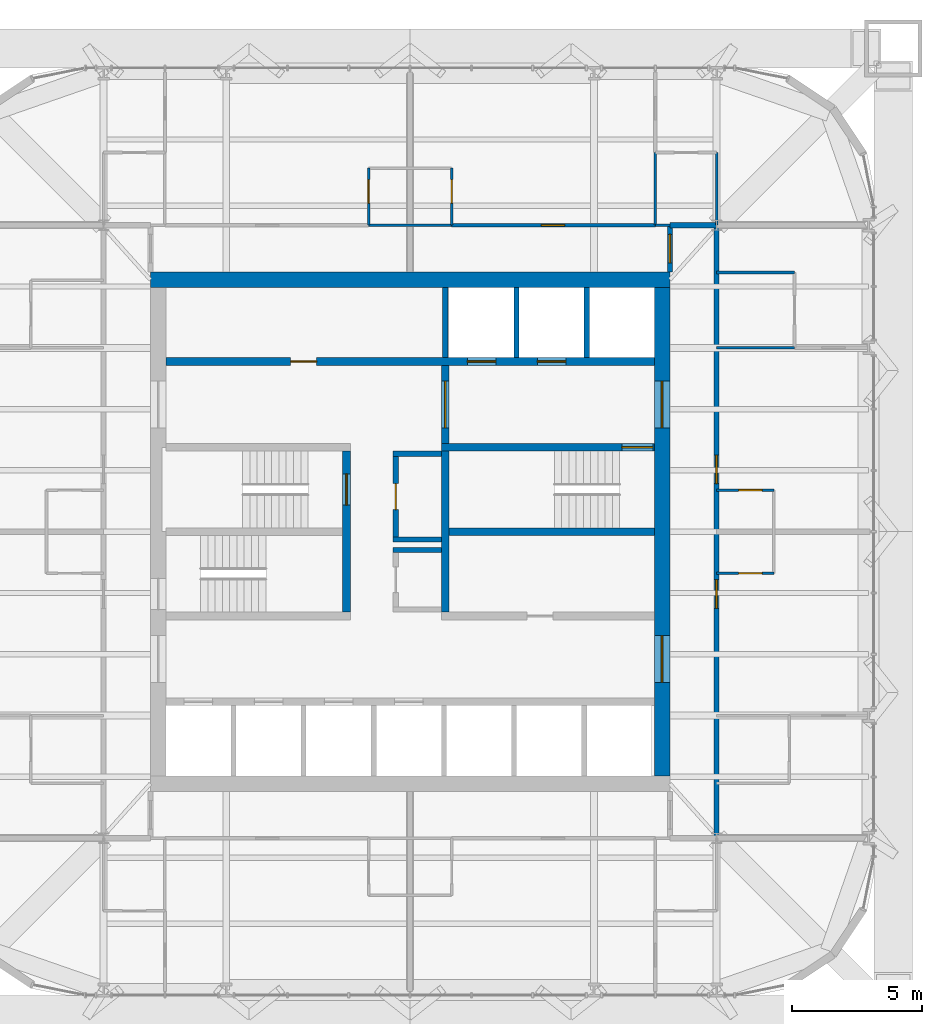
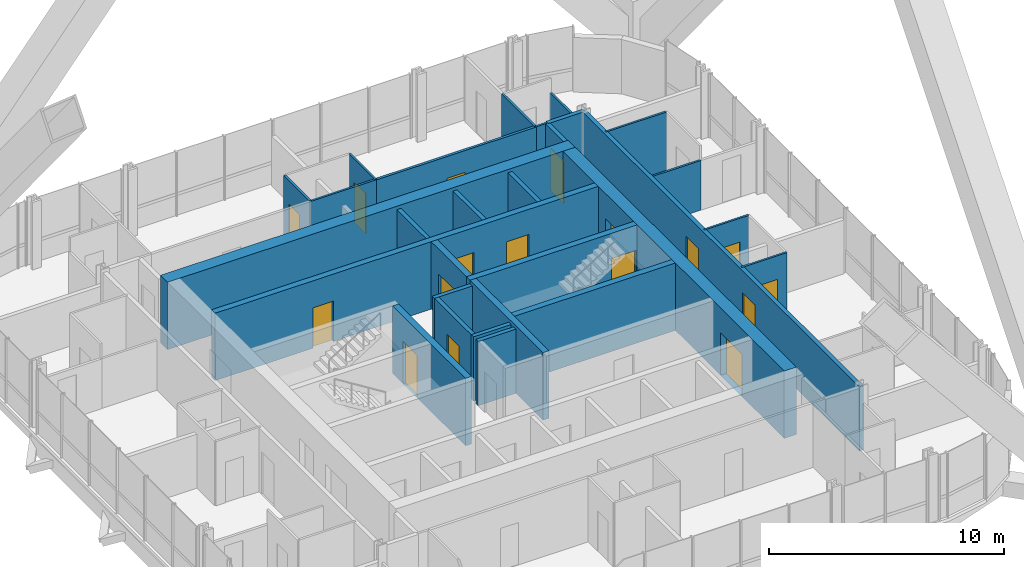
# One storey, part 21 of 23: 28 walls, 17 doors, 17 openings.
"""IFC4 building model written with IfcOpenShell, lengths in metres."""

from ifc_helpers import new_model, si_unit, direction, frame, frame_2d, origin, place, context, subcontext, project, spatial, rectangle, extrude, material, layer, layer_set, type_object, element, fill, save


model = new_model("IFC4")

# Units and contexts
model_context = context("Model", 3, precision=1e-05, world=origin(), true_north=direction((0.0, 1.0)))
body_context = subcontext(model_context, "Body", "Model", "MODEL_VIEW")
ifc_project = project(units=[si_unit("LENGTHUNIT", "METRE"), si_unit("AREAUNIT", "SQUARE_METRE"), si_unit("VOLUMEUNIT", "CUBIC_METRE"), si_unit("PLANEANGLEUNIT", "RADIAN"), si_unit("MASSUNIT", "GRAM", prefix="KILO")], contexts=[model_context])

# Site, building, storey
site_placement = place(None, origin())
site = spatial("IfcSite", under=ifc_project, at=site_placement, CompositionType="ELEMENT")
building_placement = place(site_placement, origin())
building = spatial("IfcBuilding", under=site, at=building_placement, Name="Turquesa Mirador Hotel Tower", CompositionType="ELEMENT")
storey_placement = place(building_placement, frame((0.0, 0.0, 226.699951171875)))
storey = spatial("IfcBuildingStorey", under=building, at=storey_placement, Name="L61", CompositionType="ELEMENT", Elevation=226.699951171875)

# Wall, opening, door
ifc_material_1 = material(Name="Gypsum board on steel studs", Category="steel")
ifc_layer_1 = layer(ifc_material_1, 0.10009765625)
ifc_layer_set_1 = layer_set([ifc_layer_1], Name="BATHROOM WALL 100")
wall_type_1 = type_object("IfcWallType", Name="BATHROOM WALL 100", PredefinedType="PARTITIONING", material=ifc_layer_set_1)
wall_1_placement = place(storey_placement, frame((66.800048828125, 43.39990234375, 0.0), z_axis=(0.0, 0.0, 1.0), x_axis=(1.0, 0.0, 0.0)))
wall_1 = element("IfcWall", 1, at=wall_1_placement, inside=storey, type_object=wall_type_1, Name="Partition L61 002", PredefinedType="PARTITIONING", context=body_context, shape_type="SweptSolid", body=[
    extrude(rectangle(XDim=2.199951171875, YDim=0.10009765625, at=frame_2d((1.10009765625, 0.0))), origin(), (0.0, 0.0, 1.0), 3.330078125),
])
opening_1_placement = place(wall_1_placement, frame((0.85009765625, 0.0, 0.0)))
opening_1 = element("IfcOpeningElement", 2, at=opening_1_placement, cuts=wall_1, Name="Opening D06", PredefinedType="OPENING", context=body_context, shape_type="SweptSolid", body=[
    extrude(rectangle(XDim=0.89990234375, YDim=2.10009765625, at=frame_2d((0.449951171875, 1.050048828125))), frame((0.0, 0.06005859375, 0.0), z_axis=(0.0, -1.0, 0.0), x_axis=(1.0, 0.0, 0.0)), (0.0, 0.0, 1.0), 0.1201171875),
])
ifc_material_2 = material(Name="Laminate door", Category="wood")
door_type_1 = type_object("IfcDoorType", Name="DOOR 900X2100 WC", OperationType="SINGLE_SWING_LEFT", PredefinedType="DOOR", material=ifc_material_2)
door_1_placement = place(opening_1_placement, origin())
door_1 = element("IfcDoor", 3, at=door_1_placement, inside=storey, type_object=door_type_1, Name="Door 6105W", OperationType="SINGLE_SWING_LEFT", OverallHeight=2.10009765625, OverallWidth=0.89990234375, PredefinedType="DOOR", context=body_context, shape_type="SweptSolid", body=[
    extrude(rectangle(XDim=0.89990234375, YDim=2.10009765625, at=frame_2d((0.449951171875, 1.050048828125))), frame((0.0, 0.02490234375, 0.0), z_axis=(0.0, -1.0, 0.0), x_axis=(1.0, 0.0, 0.0)), (0.0, 0.0, 1.0), 0.050048828125),
])
fill(opening_1, door_1)

wall_2_placement = place(storey_placement, frame((66.800048828125, 46.60009765625, 0.0), z_axis=(0.0, 0.0, 1.0), x_axis=(1.0, 0.0, 0.0)))
wall_2 = element("IfcWall", 4, at=wall_2_placement, inside=storey, type_object=wall_type_1, Name="Partition L61 024", PredefinedType="PARTITIONING", context=body_context, shape_type="SweptSolid", body=[
    extrude(rectangle(XDim=2.199951171875, YDim=0.10009765625, at=frame_2d((1.10009765625, 0.0))), origin(), (0.0, 0.0, 1.0), 3.330078125),
])
opening_2_placement = place(wall_2_placement, frame((0.85009765625, 0.0, 0.0)))
opening_2 = element("IfcOpeningElement", 5, at=opening_2_placement, cuts=wall_2, Name="Opening D06", PredefinedType="OPENING", context=body_context, shape_type="SweptSolid", body=[
    extrude(rectangle(XDim=0.89990234375, YDim=2.10009765625, at=frame_2d((0.449951171875, 1.050048828125))), frame((0.0, 0.06005859375, 0.0), z_axis=(0.0, -1.0, 0.0), x_axis=(1.0, 0.0, 0.0)), (0.0, 0.0, 1.0), 0.1201171875),
])
door_2_placement = place(opening_2_placement, origin())
door_2 = element("IfcDoor", 6, at=door_2_placement, inside=storey, type_object=door_type_1, Name="Door 6106W", OperationType="SINGLE_SWING_LEFT", OverallHeight=2.10009765625, OverallWidth=0.89990234375, PredefinedType="DOOR", context=body_context, shape_type="SweptSolid", body=[
    extrude(rectangle(XDim=0.89990234375, YDim=2.10009765625, at=frame_2d((0.449951171875, 1.050048828125))), frame((0.0, 0.02490234375, 0.0), z_axis=(0.0, -1.0, 0.0), x_axis=(1.0, 0.0, 0.0)), (0.0, 0.0, 1.0), 0.050048828125),
])
fill(opening_2, door_2)

# Walls
wall_3_placement = place(storey_placement, frame((53.39990234375, 56.800048828125, 0.0), z_axis=(0.0, 0.0, 1.0), x_axis=(1.0, 0.0, 0.0)))
element("IfcWall", 7, at=wall_3_placement, inside=storey, type_object=wall_type_1, Name="Partition L61 026", PredefinedType="PARTITIONING", context=body_context, shape_type="SweptSolid", body=[
    extrude(rectangle(XDim=3.2001953125, YDim=0.10009765625, at=frame_2d((1.60009765625, 0.0))), origin(), (0.0, 0.0, 1.0), 3.330078125),
])
wall_4_placement = place(storey_placement, frame((64.43994140625, 56.800048828125, 0.0), z_axis=(0.0, 0.0, 1.0), x_axis=(1.0, 0.0, 0.0)))
element("IfcWall", 8, at=wall_4_placement, inside=storey, type_object=wall_type_1, Name="Partition L61 027", PredefinedType="PARTITIONING", context=body_context, shape_type="SweptSolid", body=[
    extrude(rectangle(XDim=0.56005859375, YDim=0.10009765625, at=frame_2d((0.280029296875, 0.0))), origin(), (0.0, 0.0, 1.0), 3.330078125),
])
wall_5_placement = place(storey_placement, frame((66.800048828125, 52.080078125, 0.0), z_axis=(0.0, 0.0, 1.0), x_axis=(1.0, 0.0, 0.0)))
element("IfcWall", 9, at=wall_5_placement, inside=storey, type_object=wall_type_1, Name="Partition L61 038", PredefinedType="PARTITIONING", context=body_context, shape_type="SweptSolid", body=[
    extrude(rectangle(XDim=3.0, YDim=0.10009765625, at=frame_2d((1.5, 0.0))), origin(), (0.0, 0.0, 1.0), 2.5732421875),
])
wall_6_placement = place(storey_placement, frame((66.800048828125, 54.97998046875, 0.0), z_axis=(0.0, 0.0, 1.0), x_axis=(1.0, 0.0, 0.0)))
element("IfcWall", 10, at=wall_6_placement, inside=storey, type_object=wall_type_1, Name="Partition L61 042", PredefinedType="PARTITIONING", context=body_context, shape_type="SweptSolid", body=[
    extrude(rectangle(XDim=3.0, YDim=0.10009765625, at=frame_2d((1.5, 0.0))), origin(), (0.0, 0.0, 1.0), 3.330078125),
])

# Wall, opening, door
wall_7_placement = place(storey_placement, frame((53.39990234375, 56.800048828125, 0.0), z_axis=(0.0, 0.0, 1.0), x_axis=(0.0, 1.0, 0.0)))
wall_7 = element("IfcWall", 11, at=wall_7_placement, inside=storey, type_object=wall_type_1, Name="Partition L61 044", PredefinedType="PARTITIONING", context=body_context, shape_type="SweptSolid", body=[
    extrude(rectangle(XDim=2.199951171875, YDim=0.10009765625, at=frame_2d((1.10009765625, 0.0))), origin(), (0.0, 0.0, 1.0), 3.330078125),
])
opening_3_placement = place(wall_7_placement, frame((0.85009765625, 0.0, 0.0)))
opening_3 = element("IfcOpeningElement", 12, at=opening_3_placement, cuts=wall_7, Name="Opening D06", PredefinedType="OPENING", context=body_context, shape_type="SweptSolid", body=[
    extrude(rectangle(XDim=0.89990234375, YDim=2.10009765625, at=frame_2d((0.449951171875, 1.050048828125))), frame((0.0, 0.06005859375, 0.0), z_axis=(0.0, -1.0, 0.0), x_axis=(1.0, 0.0, 0.0)), (0.0, 0.0, 1.0), 0.1201171875),
])
door_3_placement = place(opening_3_placement, origin())
door_3 = element("IfcDoor", 13, at=door_3_placement, inside=storey, type_object=door_type_1, Name="Door 6101W", OperationType="SINGLE_SWING_LEFT", OverallHeight=2.10009765625, OverallWidth=0.89990234375, PredefinedType="DOOR", context=body_context, shape_type="SweptSolid", body=[
    extrude(rectangle(XDim=0.89990234375, YDim=2.10009765625, at=frame_2d((0.449951171875, 1.050048828125))), frame((0.0, 0.02490234375, 0.0), z_axis=(0.0, -1.0, 0.0), x_axis=(1.0, 0.0, 0.0)), (0.0, 0.0, 1.0), 0.050048828125),
])
fill(opening_3, door_3)

wall_8_placement = place(storey_placement, frame((56.60009765625, 56.800048828125, 0.0), z_axis=(0.0, 0.0, 1.0), x_axis=(0.0, 1.0, 0.0)))
wall_8 = element("IfcWall", 14, at=wall_8_placement, inside=storey, type_object=wall_type_1, Name="Partition L61 060", PredefinedType="PARTITIONING", context=body_context, shape_type="SweptSolid", body=[
    extrude(rectangle(XDim=2.199951171875, YDim=0.10009765625, at=frame_2d((1.10009765625, 0.0))), origin(), (0.0, 0.0, 1.0), 3.330078125),
])
opening_4_placement = place(wall_8_placement, frame((0.85009765625, 0.0, 0.0)))
opening_4 = element("IfcOpeningElement", 15, at=opening_4_placement, cuts=wall_8, Name="Opening D06", PredefinedType="OPENING", context=body_context, shape_type="SweptSolid", body=[
    extrude(rectangle(XDim=0.89990234375, YDim=2.10009765625, at=frame_2d((0.449951171875, 1.050048828125))), frame((0.0, 0.06005859375, 0.0), z_axis=(0.0, -1.0, 0.0), x_axis=(1.0, 0.0, 0.0)), (0.0, 0.0, 1.0), 0.1201171875),
])
door_4_placement = place(opening_4_placement, origin())
door_4 = element("IfcDoor", 16, at=door_4_placement, inside=storey, type_object=door_type_1, Name="Door 6102W", OperationType="SINGLE_SWING_LEFT", OverallHeight=2.10009765625, OverallWidth=0.89990234375, PredefinedType="DOOR", context=body_context, shape_type="SweptSolid", body=[
    extrude(rectangle(XDim=0.89990234375, YDim=2.10009765625, at=frame_2d((0.449951171875, 1.050048828125))), frame((0.0, 0.02490234375, 0.0), z_axis=(0.0, -1.0, 0.0), x_axis=(1.0, 0.0, 0.0)), (0.0, 0.0, 1.0), 0.050048828125),
])
fill(opening_4, door_4)

# Walls
wall_9_placement = place(storey_placement, frame((66.800048828125, 56.800048828125, 0.0), z_axis=(0.0, 0.0, 1.0), x_axis=(0.0, 1.0, 0.0)))
element("IfcWall", 17, at=wall_9_placement, inside=storey, type_object=wall_type_1, Name="Partition L61 064", PredefinedType="PARTITIONING", context=body_context, shape_type="SweptSolid", body=[
    extrude(rectangle(XDim=2.800048828125, YDim=0.10009765625, at=frame_2d((1.39990234375, 0.0))), origin(), (0.0, 0.0, 1.0), 2.5732421875),
])
wall_10_placement = place(storey_placement, frame((64.43994140625, 56.800048828125, 0.0), z_axis=(0.0, 0.0, 1.0), x_axis=(0.0, 1.0, 0.0)))
element("IfcWall", 18, at=wall_10_placement, inside=storey, type_object=wall_type_1, Name="Partition L61 070", PredefinedType="PARTITIONING", context=body_context, shape_type="SweptSolid", body=[
    extrude(rectangle(XDim=2.800048828125, YDim=0.10009765625, at=frame_2d((1.39990234375, 0.0))), origin(), (0.0, 0.0, 1.0), 3.330078125),
])

# Wall, openings, doors
ifc_material_3 = material(Name="Concrete C50/60", Category="concrete")
ifc_layer_2 = layer(ifc_material_3, 0.300048828125)
ifc_layer_set_2 = layer_set([ifc_layer_2], Name="CORE INNER WALL 300")
wall_type_2 = type_object("IfcWallType", Name="CORE INNER WALL 300", PredefinedType="SHEAR", material=ifc_layer_set_2)
wall_11_placement = place(storey_placement, frame((45.60009765625, 51.550048828125, 0.0), z_axis=(0.0, 0.0, 1.0), x_axis=(1.0, 0.0, 0.0)))
wall_11 = element("IfcWall", 19, at=wall_11_placement, inside=storey, type_object=wall_type_2, Name="Core wall NL", PredefinedType="SHEAR", context=body_context, shape_type="SweptSolid", body=[
    extrude(rectangle(XDim=18.7998046875, YDim=0.300048828125, at=frame_2d((9.39990234375, 0.0))), origin(), (0.0, 0.0, 1.0), 3.5),
])
opening_5_placement = place(wall_11_placement, frame((4.800048828125, 0.0, 0.0)))
opening_5 = element("IfcOpeningElement", 20, at=opening_5_placement, cuts=wall_11, Name="Opening D05", PredefinedType="OPENING", context=body_context, shape_type="SweptSolid", body=[
    extrude(rectangle(XDim=1.0, YDim=2.10009765625, at=frame_2d((0.5, 1.050048828125))), frame((0.0, 0.159912109375, 0.0), z_axis=(0.0, -1.0, 0.0), x_axis=(1.0, 0.0, 0.0)), (0.0, 0.0, 1.0), 0.320068359375),
])
opening_6_placement = place(wall_11_placement, frame((11.60009765625, 0.0, 0.0)))
opening_6 = element("IfcOpeningElement", 21, at=opening_6_placement, cuts=wall_11, Name="Opening LD", PredefinedType="OPENING", context=body_context, shape_type="SweptSolid", body=[
    extrude(rectangle(XDim=1.10009765625, YDim=2.199951171875, at=frame_2d((0.550048828125, 1.10009765625))), frame((0.0, 0.159912109375, 0.0), z_axis=(0.0, -1.0, 0.0), x_axis=(1.0, 0.0, 0.0)), (0.0, 0.0, 1.0), 0.320068359375),
])
opening_7_placement = place(wall_11_placement, frame((14.300048828125, 0.0, 0.0)))
opening_7 = element("IfcOpeningElement", 22, at=opening_7_placement, cuts=wall_11, Name="Opening LD", PredefinedType="OPENING", context=body_context, shape_type="SweptSolid", body=[
    extrude(rectangle(XDim=1.10009765625, YDim=2.199951171875, at=frame_2d((0.550048828125, 1.10009765625))), frame((0.0, 0.159912109375, 0.0), z_axis=(0.0, -1.0, 0.0), x_axis=(1.0, 0.0, 0.0)), (0.0, 0.0, 1.0), 0.320068359375),
])
ifc_material_4 = material(Name="Steel fire door", Category="steel")
door_type_2 = type_object("IfcDoorType", Name="DOOR 1000X2100 SERVICE", OperationType="SINGLE_SWING_LEFT", PredefinedType="DOOR", material=ifc_material_4)
door_5_placement = place(opening_5_placement, origin())
door_5 = element("IfcDoor", 23, at=door_5_placement, inside=storey, type_object=door_type_2, Name="Linen store door", OperationType="SINGLE_SWING_LEFT", OverallHeight=2.10009765625, OverallWidth=1.0, PredefinedType="DOOR", context=body_context, shape_type="SweptSolid", body=[
    extrude(rectangle(XDim=1.0, YDim=2.10009765625, at=frame_2d((0.5, 1.050048828125))), frame((0.0, 0.02490234375, 0.0), z_axis=(0.0, -1.0, 0.0), x_axis=(1.0, 0.0, 0.0)), (0.0, 0.0, 1.0), 0.050048828125),
])
fill(opening_5, door_5)
ifc_material_5 = material(Name="Stainless steel lift landing door", Category="steel")
door_type_3 = type_object("IfcDoorType", Name="LIFT LANDING DOOR 1100X2200", OperationType="SLIDING_TO_LEFT", PredefinedType="DOOR", material=ifc_material_5)
door_6_placement = place(opening_6_placement, origin())
door_6 = element("IfcDoor", 24, at=door_6_placement, inside=storey, type_object=door_type_3, Name="Lift S1 landing door", OperationType="SLIDING_TO_LEFT", OverallHeight=2.199951171875, OverallWidth=1.10009765625, PredefinedType="DOOR", context=body_context, shape_type="SweptSolid", body=[
    extrude(rectangle(XDim=1.10009765625, YDim=2.199951171875, at=frame_2d((0.550048828125, 1.10009765625))), frame((0.0, 0.02490234375, 0.0), z_axis=(0.0, -1.0, 0.0), x_axis=(1.0, 0.0, 0.0)), (0.0, 0.0, 1.0), 0.050048828125),
])
fill(opening_6, door_6)
door_7_placement = place(opening_7_placement, origin())
door_7 = element("IfcDoor", 25, at=door_7_placement, inside=storey, type_object=door_type_3, Name="Lift S2 landing door", OperationType="SLIDING_TO_LEFT", OverallHeight=2.199951171875, OverallWidth=1.10009765625, PredefinedType="DOOR", context=body_context, shape_type="SweptSolid", body=[
    extrude(rectangle(XDim=1.10009765625, YDim=2.199951171875, at=frame_2d((0.550048828125, 1.10009765625))), frame((0.0, 0.02490234375, 0.0), z_axis=(0.0, -1.0, 0.0), x_axis=(1.0, 0.0, 0.0)), (0.0, 0.0, 1.0), 0.050048828125),
])
fill(opening_7, door_7)

# Wall, opening, door
wall_12_placement = place(storey_placement, frame((56.199951171875, 48.25, 0.0), z_axis=(0.0, 0.0, 1.0), x_axis=(1.0, 0.0, 0.0)))
wall_12 = element("IfcWall", 26, at=wall_12_placement, inside=storey, type_object=wall_type_2, Name="Core wall MN-E", PredefinedType="SHEAR", context=body_context, shape_type="SweptSolid", body=[
    extrude(rectangle(XDim=8.199951171875, YDim=0.300048828125, at=frame_2d((4.10009765625, 0.0))), origin(), (0.0, 0.0, 1.0), 3.5),
])
opening_8_placement = place(wall_12_placement, frame((6.949951171875, 0.0, 0.0)))
opening_8 = element("IfcOpeningElement", 27, at=opening_8_placement, cuts=wall_12, Name="Opening D03", PredefinedType="OPENING", context=body_context, shape_type="SweptSolid", body=[
    extrude(rectangle(XDim=1.199951171875, YDim=2.199951171875, at=frame_2d((0.60009765625, 1.10009765625))), frame((0.0, 0.159912109375, 0.0), z_axis=(0.0, -1.0, 0.0), x_axis=(1.0, 0.0, 0.0)), (0.0, 0.0, 1.0), 0.320068359375),
])
ifc_material_6 = material(Name="Steel fire door", Category="steel")
door_type_4 = type_object("IfcDoorType", Name="DOOR 1200X2200 STAIR", OperationType="SINGLE_SWING_LEFT", PredefinedType="DOOR", material=ifc_material_6)
door_8_placement = place(opening_8_placement, origin())
door_8 = element("IfcDoor", 28, at=door_8_placement, inside=storey, type_object=door_type_4, Name="Stair ST3 door", OperationType="SINGLE_SWING_LEFT", OverallHeight=2.199951171875, OverallWidth=1.199951171875, PredefinedType="DOOR", context=body_context, shape_type="SweptSolid", body=[
    extrude(rectangle(XDim=1.199951171875, YDim=2.199951171875, at=frame_2d((0.60009765625, 1.10009765625))), frame((0.0, 0.02490234375, 0.0), z_axis=(0.0, -1.0, 0.0), x_axis=(1.0, 0.0, 0.0)), (0.0, 0.0, 1.0), 0.050048828125),
])
fill(opening_8, door_8)

wall_13_placement = place(storey_placement, frame((52.550048828125, 41.89990234375, 0.0), z_axis=(0.0, 0.0, 1.0), x_axis=(0.0, 1.0, 0.0)))
wall_13 = element("IfcWall", 29, at=wall_13_placement, inside=storey, type_object=wall_type_2, Name="Core wall PW", PredefinedType="SHEAR", context=body_context, shape_type="SweptSolid", body=[
    extrude(rectangle(XDim=6.2001953125, YDim=0.300048828125, at=frame_2d((3.10009765625, 0.0))), origin(), (0.0, 0.0, 1.0), 3.5),
])
opening_9_placement = place(wall_13_placement, frame((4.125, 0.0, 0.0)))
opening_9 = element("IfcOpeningElement", 30, at=opening_9_placement, cuts=wall_13, Name="Opening D03", PredefinedType="OPENING", context=body_context, shape_type="SweptSolid", body=[
    extrude(rectangle(XDim=1.199951171875, YDim=2.199951171875, at=frame_2d((0.60009765625, 1.10009765625))), frame((0.0, 0.159912109375, 0.0), z_axis=(0.0, -1.0, 0.0), x_axis=(1.0, 0.0, 0.0)), (0.0, 0.0, 1.0), 0.320068359375),
])
door_9_placement = place(opening_9_placement, origin())
door_9 = element("IfcDoor", 31, at=door_9_placement, inside=storey, type_object=door_type_4, Name="Stair ST1 door", OperationType="SINGLE_SWING_LEFT", OverallHeight=2.199951171875, OverallWidth=1.199951171875, PredefinedType="DOOR", context=body_context, shape_type="SweptSolid", body=[
    extrude(rectangle(XDim=1.199951171875, YDim=2.199951171875, at=frame_2d((0.60009765625, 1.10009765625))), frame((0.0, 0.02490234375, 0.0), z_axis=(0.0, -1.0, 0.0), x_axis=(1.0, 0.0, 0.0)), (0.0, 0.0, 1.0), 0.050048828125),
])
fill(opening_9, door_9)

wall_14_placement = place(storey_placement, frame((56.35009765625, 41.89990234375, 0.0), z_axis=(0.0, 0.0, 1.0), x_axis=(0.0, 1.0, 0.0)))
wall_14 = element("IfcWall", 32, at=wall_14_placement, inside=storey, type_object=wall_type_2, Name="Core wall PE", PredefinedType="SHEAR", context=body_context, shape_type="SweptSolid", body=[
    extrude(rectangle(XDim=9.5, YDim=0.300048828125, at=frame_2d((4.75, 0.0))), origin(), (0.0, 0.0, 1.0), 3.5),
])
opening_10_placement = place(wall_14_placement, frame((7.10009765625, 0.0, 0.0)))
opening_10 = element("IfcOpeningElement", 33, at=opening_10_placement, cuts=wall_14, Name="Opening D04", PredefinedType="OPENING", context=body_context, shape_type="SweptSolid", body=[
    extrude(rectangle(XDim=1.800048828125, YDim=2.199951171875, at=frame_2d((0.89990234375, 1.10009765625))), frame((0.0, 0.159912109375, 0.0), z_axis=(0.0, -1.0, 0.0), x_axis=(1.0, 0.0, 0.0)), (0.0, 0.0, 1.0), 0.320068359375),
])
ifc_material_7 = material(Name="Steel fire door pair", Category="steel")
door_type_5 = type_object("IfcDoorType", Name="DOOR 1800X2200 PAIR", OperationType="DOUBLE_DOOR_SINGLE_SWING", PredefinedType="DOOR", material=ifc_material_7)
door_10_placement = place(opening_10_placement, origin())
door_10 = element("IfcDoor", 34, at=door_10_placement, inside=storey, type_object=door_type_5, Name="Firefighting lobby inner door", OperationType="DOUBLE_DOOR_SINGLE_SWING", OverallHeight=2.199951171875, OverallWidth=1.800048828125, PredefinedType="DOOR", context=body_context, shape_type="SweptSolid", body=[
    extrude(rectangle(XDim=1.800048828125, YDim=2.199951171875, at=frame_2d((0.89990234375, 1.10009765625))), frame((0.0, 0.02490234375, 0.0), z_axis=(0.0, -1.0, 0.0), x_axis=(1.0, 0.0, 0.0)), (0.0, 0.0, 1.0), 0.050048828125),
])
fill(opening_10, door_10)

# Walls
wall_15_placement = place(storey_placement, frame((56.5, 45.0, 0.0), z_axis=(0.0, 0.0, 1.0), x_axis=(1.0, 0.0, 0.0)))
element("IfcWall", 35, at=wall_15_placement, inside=storey, type_object=wall_type_2, Name="Core wall M0-E", PredefinedType="SHEAR", context=body_context, shape_type="SweptSolid", body=[
    extrude(rectangle(XDim=7.89990234375, YDim=0.300048828125, at=frame_2d((3.949951171875, 0.0))), origin(), (0.0, 0.0, 1.0), 3.5),
])
ifc_material_8 = material(Name="Concrete C50/60", Category="concrete")
ifc_layer_3 = layer(ifc_material_8, 0.60009765625)
ifc_layer_set_3 = layer_set([ifc_layer_3], Name="CORE WALL 600")
wall_type_3 = type_object("IfcWallType", Name="CORE WALL 600", PredefinedType="SHEAR", material=ifc_layer_set_3)
wall_16_placement = place(storey_placement, frame((45.0, 54.699951171875, 0.0), z_axis=(0.0, 0.0, 1.0), x_axis=(1.0, 0.0, 0.0)))
element("IfcWall", 36, at=wall_16_placement, inside=storey, type_object=wall_type_3, Name="Core wall N", PredefinedType="SHEAR", context=body_context, shape_type="SweptSolid", body=[
    extrude(rectangle(XDim=20.0, YDim=0.60009765625, at=frame_2d((10.0, 0.0))), origin(), (0.0, 0.0, 1.0), 3.5),
])

# Wall, openings, doors
wall_17_placement = place(storey_placement, frame((64.699951171875, 35.60009765625, 0.0), z_axis=(0.0, 0.0, 1.0), x_axis=(0.0, 1.0, 0.0)))
wall_17 = element("IfcWall", 37, at=wall_17_placement, inside=storey, type_object=wall_type_3, Name="Core wall E", PredefinedType="SHEAR", context=body_context, shape_type="SweptSolid", body=[
    extrude(rectangle(XDim=18.7998046875, YDim=0.60009765625, at=frame_2d((9.39990234375, 0.0))), origin(), (0.0, 0.0, 1.0), 3.5),
])
opening_11_placement = place(wall_17_placement, frame((13.39990234375, 0.0, 0.0)))
opening_11 = element("IfcOpeningElement", 38, at=opening_11_placement, cuts=wall_17, Name="Opening D04", PredefinedType="OPENING", context=body_context, shape_type="SweptSolid", body=[
    extrude(rectangle(XDim=1.800048828125, YDim=2.199951171875, at=frame_2d((0.89990234375, 1.10009765625))), frame((0.0, 0.31005859375, 0.0), z_axis=(0.0, -1.0, 0.0), x_axis=(1.0, 0.0, 0.0)), (0.0, 0.0, 1.0), 0.6201171875),
])
opening_12_placement = place(wall_17_placement, frame((3.60009765625, 0.0, 0.0)))
opening_12 = element("IfcOpeningElement", 39, at=opening_12_placement, cuts=wall_17, Name="Opening D04", PredefinedType="OPENING", context=body_context, shape_type="SweptSolid", body=[
    extrude(rectangle(XDim=1.800048828125, YDim=2.199951171875, at=frame_2d((0.89990234375, 1.10009765625))), frame((0.0, 0.31005859375, 0.0), z_axis=(0.0, -1.0, 0.0), x_axis=(1.0, 0.0, 0.0)), (0.0, 0.0, 1.0), 0.6201171875),
])
door_11_placement = place(opening_11_placement, origin())
door_11 = element("IfcDoor", 40, at=door_11_placement, inside=storey, type_object=door_type_5, Name="Firefighting lobby door", OperationType="DOUBLE_DOOR_SINGLE_SWING", OverallHeight=2.199951171875, OverallWidth=1.800048828125, PredefinedType="DOOR", context=body_context, shape_type="SweptSolid", body=[
    extrude(rectangle(XDim=1.800048828125, YDim=2.199951171875, at=frame_2d((0.89990234375, 1.10009765625))), frame((0.0, 0.02490234375, 0.0), z_axis=(0.0, -1.0, 0.0), x_axis=(1.0, 0.0, 0.0)), (0.0, 0.0, 1.0), 0.050048828125),
])
fill(opening_11, door_11)
door_12_placement = place(opening_12_placement, origin())
door_12 = element("IfcDoor", 41, at=door_12_placement, inside=storey, type_object=door_type_5, Name="South lift lobby door", OperationType="DOUBLE_DOOR_SINGLE_SWING", OverallHeight=2.199951171875, OverallWidth=1.800048828125, PredefinedType="DOOR", context=body_context, shape_type="SweptSolid", body=[
    extrude(rectangle(XDim=1.800048828125, YDim=2.199951171875, at=frame_2d((0.89990234375, 1.10009765625))), frame((0.0, 0.02490234375, 0.0), z_axis=(0.0, -1.0, 0.0), x_axis=(1.0, 0.0, 0.0)), (0.0, 0.0, 1.0), 0.050048828125),
])
fill(opening_12, door_12)

# Wall
ifc_material_9 = material(Name="Fire-rated gypsum board on steel studs", Category="steel")
ifc_layer_4 = layer(ifc_material_9, 0.199951171875)
ifc_layer_set_4 = layer_set([ifc_layer_4], Name="CORRIDOR WALL 200")
wall_type_4 = type_object("IfcWallType", Name="CORRIDOR WALL 200", PredefinedType="PARTITIONING", material=ifc_layer_set_4)
wall_18_placement = place(storey_placement, frame((65.0, 56.800048828125, 0.0), z_axis=(0.0, 0.0, 1.0), x_axis=(1.0, 0.0, 0.0)))
element("IfcWall", 42, at=wall_18_placement, inside=storey, type_object=wall_type_4, Name="Partition L61 029", PredefinedType="PARTITIONING", context=body_context, shape_type="SweptSolid", body=[
    extrude(rectangle(XDim=1.800048828125, YDim=0.199951171875, at=frame_2d((0.89990234375, 0.0))), origin(), (0.0, 0.0, 1.0), 3.330078125),
])

# Wall, opening, door
wall_19_placement = place(storey_placement, frame((65.0, 55.0, 0.0), z_axis=(0.0, 0.0, 1.0), x_axis=(0.0, 1.0, 0.0)))
wall_19 = element("IfcWall", 43, at=wall_19_placement, inside=storey, type_object=wall_type_4, Name="Partition L61 062", PredefinedType="PARTITIONING", context=body_context, shape_type="SweptSolid", body=[
    extrude(rectangle(XDim=1.800048828125, YDim=0.199951171875, at=frame_2d((0.89990234375, 0.0))), origin(), (0.0, 0.0, 1.0), 3.330078125),
])
opening_13_placement = place(wall_19_placement, frame((0.35009765625, 0.0, 0.0)))
opening_13 = element("IfcOpeningElement", 44, at=opening_13_placement, cuts=wall_19, Name="Opening D15", PredefinedType="OPENING", context=body_context, shape_type="SweptSolid", body=[
    extrude(rectangle(XDim=1.10009765625, YDim=2.199951171875, at=frame_2d((0.550048828125, 1.10009765625))), frame((0.0, 0.10986328125, 0.0), z_axis=(0.0, -1.0, 0.0), x_axis=(1.0, 0.0, 0.0)), (0.0, 0.0, 1.0), 0.219970703125),
])
ifc_material_10 = material(Name="Timber veneered fire door", Category="wood")
door_type_6 = type_object("IfcDoorType", Name="DOOR 1100X2200 SUITE ENTRY", OperationType="SINGLE_SWING_LEFT", PredefinedType="DOOR", material=ifc_material_10)
door_13_placement = place(opening_13_placement, origin())
door_13 = element("IfcDoor", 45, at=door_13_placement, inside=storey, type_object=door_type_6, Name="Door 6102G", OperationType="SINGLE_SWING_LEFT", OverallHeight=2.199951171875, OverallWidth=1.10009765625, PredefinedType="DOOR", context=body_context, shape_type="SweptSolid", body=[
    extrude(rectangle(XDim=1.10009765625, YDim=2.199951171875, at=frame_2d((0.550048828125, 1.10009765625))), frame((0.0, 0.02490234375, 0.0), z_axis=(0.0, -1.0, 0.0), x_axis=(1.0, 0.0, 0.0)), (0.0, 0.0, 1.0), 0.050048828125),
])
fill(opening_13, door_13)

# Wall, openings, doors
wall_20_placement = place(storey_placement, frame((66.800048828125, 33.199951171875, 0.0), z_axis=(0.0, 0.0, 1.0), x_axis=(0.0, 1.0, 0.0)))
wall_20 = element("IfcWall", 46, at=wall_20_placement, inside=storey, type_object=wall_type_4, Name="Partition L61 065", PredefinedType="PARTITIONING", context=body_context, shape_type="SweptSolid", body=[
    extrude(rectangle(XDim=23.60009765625, YDim=0.199951171875, at=frame_2d((11.800048828125, 0.0))), origin(), (0.0, 0.0, 1.0), 3.330078125),
])
opening_14_placement = place(wall_20_placement, frame((8.85009765625, 0.0, 0.0)))
opening_14 = element("IfcOpeningElement", 47, at=opening_14_placement, cuts=wall_20, Name="Opening D15", PredefinedType="OPENING", context=body_context, shape_type="SweptSolid", body=[
    extrude(rectangle(XDim=1.10009765625, YDim=2.199951171875, at=frame_2d((0.550048828125, 1.10009765625))), frame((0.0, 0.10986328125, 0.0), z_axis=(0.0, -1.0, 0.0), x_axis=(1.0, 0.0, 0.0)), (0.0, 0.0, 1.0), 0.219970703125),
])
opening_15_placement = place(wall_20_placement, frame((13.64990234375, 0.0, 0.0)))
opening_15 = element("IfcOpeningElement", 48, at=opening_15_placement, cuts=wall_20, Name="Opening D15", PredefinedType="OPENING", context=body_context, shape_type="SweptSolid", body=[
    extrude(rectangle(XDim=1.10009765625, YDim=2.199951171875, at=frame_2d((0.550048828125, 1.10009765625))), frame((0.0, 0.10986328125, 0.0), z_axis=(0.0, -1.0, 0.0), x_axis=(1.0, 0.0, 0.0)), (0.0, 0.0, 1.0), 0.219970703125),
])
door_14_placement = place(opening_14_placement, origin())
door_14 = element("IfcDoor", 49, at=door_14_placement, inside=storey, type_object=door_type_6, Name="Door 6105", OperationType="SINGLE_SWING_LEFT", OverallHeight=2.199951171875, OverallWidth=1.10009765625, PredefinedType="DOOR", context=body_context, shape_type="SweptSolid", body=[
    extrude(rectangle(XDim=1.10009765625, YDim=2.199951171875, at=frame_2d((0.550048828125, 1.10009765625))), frame((0.0, 0.02490234375, 0.0), z_axis=(0.0, -1.0, 0.0), x_axis=(1.0, 0.0, 0.0)), (0.0, 0.0, 1.0), 0.050048828125),
])
fill(opening_14, door_14)
door_15_placement = place(opening_15_placement, origin())
door_15 = element("IfcDoor", 50, at=door_15_placement, inside=storey, type_object=door_type_6, Name="Door 6106", OperationType="SINGLE_SWING_LEFT", OverallHeight=2.199951171875, OverallWidth=1.10009765625, PredefinedType="DOOR", context=body_context, shape_type="SweptSolid", body=[
    extrude(rectangle(XDim=1.10009765625, YDim=2.199951171875, at=frame_2d((0.550048828125, 1.10009765625))), frame((0.0, 0.02490234375, 0.0), z_axis=(0.0, -1.0, 0.0), x_axis=(1.0, 0.0, 0.0)), (0.0, 0.0, 1.0), 0.050048828125),
])
fill(opening_15, door_15)

# Wall
ifc_material_11 = material(Name="Fire-rated gypsum board on steel studs", Category="steel")
ifc_layer_5 = layer(ifc_material_11, 0.199951171875)
ifc_layer_set_5 = layer_set([ifc_layer_5], Name="FIRE PARTITION 200")
wall_type_5 = type_object("IfcWallType", Name="FIRE PARTITION 200", PredefinedType="PARTITIONING", material=ifc_layer_set_5)
wall_21_placement = place(storey_placement, frame((54.35009765625, 44.300048828125, 0.0), z_axis=(0.0, 0.0, 1.0), x_axis=(1.0, 0.0, 0.0)))
element("IfcWall", 51, at=wall_21_placement, inside=storey, type_object=wall_type_5, Name="Partition L61 BO N", PredefinedType="PARTITIONING", context=body_context, shape_type="SweptSolid", body=[
    extrude(rectangle(XDim=1.849853515625, YDim=0.199951171875, at=frame_2d((0.9248046875, 0.0))), origin(), (0.0, 0.0, 1.0), 3.330078125),
])

# Wall, opening, door
wall_22_placement = place(storey_placement, frame((54.449951171875, 44.699951171875, 0.0), z_axis=(0.0, 0.0, 1.0), x_axis=(0.0, 1.0, 0.0)))
wall_22 = element("IfcWall", 52, at=wall_22_placement, inside=storey, type_object=wall_type_5, Name="Partition L61 VR W", PredefinedType="PARTITIONING", context=body_context, shape_type="SweptSolid", body=[
    extrude(rectangle(XDim=3.300048828125, YDim=0.199951171875, at=frame_2d((1.64990234375, 0.0))), origin(), (0.0, 0.0, 1.0), 3.330078125),
])
opening_16_placement = place(wall_22_placement, frame((1.14990234375, 0.0, 0.0)))
opening_16 = element("IfcOpeningElement", 53, at=opening_16_placement, cuts=wall_22, Name="Opening D05", PredefinedType="OPENING", context=body_context, shape_type="SweptSolid", body=[
    extrude(rectangle(XDim=1.0, YDim=2.10009765625, at=frame_2d((0.5, 1.050048828125))), frame((0.0, 0.10986328125, 0.0), z_axis=(0.0, -1.0, 0.0), x_axis=(1.0, 0.0, 0.0)), (0.0, 0.0, 1.0), 0.219970703125),
])
door_16_placement = place(opening_16_placement, origin())
door_16 = element("IfcDoor", 54, at=door_16_placement, inside=storey, type_object=door_type_2, Name="Valet room door", OperationType="SINGLE_SWING_LEFT", OverallHeight=2.10009765625, OverallWidth=1.0, PredefinedType="DOOR", context=body_context, shape_type="SweptSolid", body=[
    extrude(rectangle(XDim=1.0, YDim=2.10009765625, at=frame_2d((0.5, 1.050048828125))), frame((0.0, 0.02490234375, 0.0), z_axis=(0.0, -1.0, 0.0), x_axis=(1.0, 0.0, 0.0)), (0.0, 0.0, 1.0), 0.050048828125),
])
fill(opening_16, door_16)

# Walls
for number, where, z_axis, x_axis, name in (
    (55, (54.35009765625, 44.699951171875, 0.0), (0.0, 0.0, 1.0), (1.0, 0.0, 0.0), "Partition L61 VR S"),
    (56, (54.35009765625, 48.0, 0.0), (0.0, 0.0, 1.0), (1.0, 0.0, 0.0), "Partition L61 VR N"),
):
    element("IfcWall", number, at=place(storey_placement, frame(where, z_axis=z_axis, x_axis=x_axis)), inside=storey, type_object=wall_type_5, Name=name, PredefinedType="PARTITIONING", context=body_context, shape_type="SweptSolid", body=[
        extrude(rectangle(XDim=1.849853515625, YDim=0.199951171875, at=frame_2d((0.9248046875, 0.0))), origin(), (0.0, 0.0, 1.0), 3.330078125),
    ])
ifc_material_12 = material(Name="Fire-rated gypsum shaft wall on steel studs", Category="steel")
ifc_layer_6 = layer(ifc_material_12, 0.199951171875)
ifc_layer_set_6 = layer_set([ifc_layer_6], Name="LIFT SHAFT DIVIDER 200")
wall_type_6 = type_object("IfcWallType", Name="LIFT SHAFT DIVIDER 200", PredefinedType="PARTITIONING", material=ifc_layer_set_6)
for number, where, z_axis, x_axis, name in (
    (57, (59.10009765625, 51.699951171875, 0.0), (0.0, 0.0, 1.0), (0.0, 1.0, 0.0), "Lift shaft divider"),
    (58, (61.800048828125, 51.699951171875, 0.0), (0.0, 0.0, 1.0), (0.0, 1.0, 0.0), "Lift shaft divider"),
    (59, (56.35009765625, 51.699951171875, 0.0), (0.0, 0.0, 1.0), (0.0, 1.0, 0.0), "Lift shaft divider"),
):
    element("IfcWall", number, at=place(storey_placement, frame(where, z_axis=z_axis, x_axis=x_axis)), inside=storey, type_object=wall_type_6, Name=name, PredefinedType="PARTITIONING", context=body_context, shape_type="SweptSolid", body=[
        extrude(rectangle(XDim=2.699951171875, YDim=0.199951171875, at=frame_2d((1.35009765625, 0.0))), origin(), (0.0, 0.0, 1.0), 3.330078125),
    ])

# Wall, opening, door
ifc_material_13 = material(Name="Acoustic gypsum board on steel studs", Category="steel")
ifc_layer_7 = layer(ifc_material_13, 0.125)
ifc_layer_set_7 = layer_set([ifc_layer_7], Name="SUITE PARTITION 125")
wall_type_7 = type_object("IfcWallType", Name="SUITE PARTITION 125", PredefinedType="PARTITIONING", material=ifc_layer_set_7)
wall_23_placement = place(storey_placement, frame((56.60009765625, 56.800048828125, 0.0), z_axis=(0.0, 0.0, 1.0), x_axis=(1.0, 0.0, 0.0)))
wall_23 = element("IfcWall", 60, at=wall_23_placement, inside=storey, type_object=wall_type_7, Name="Partition L61 033", PredefinedType="PARTITIONING", context=body_context, shape_type="SweptSolid", body=[
    extrude(rectangle(XDim=7.83984375, YDim=0.125, at=frame_2d((3.919921875, 0.0))), origin(), (0.0, 0.0, 1.0), 3.330078125),
])
opening_17_placement = place(wall_23_placement, frame((3.449951171875, 0.0, 0.0)))
opening_17 = element("IfcOpeningElement", 61, at=opening_17_placement, cuts=wall_23, Name="Opening D17", PredefinedType="OPENING", context=body_context, shape_type="SweptSolid", body=[
    extrude(rectangle(XDim=0.89990234375, YDim=2.199951171875, at=frame_2d((0.449951171875, 1.10009765625))), frame((0.0, 0.072509765625, 0.0), z_axis=(0.0, -1.0, 0.0), x_axis=(1.0, 0.0, 0.0)), (0.0, 0.0, 1.0), 0.14501953125),
])
ifc_material_14 = material(Name="Timber veneered door", Category="wood")
door_type_7 = type_object("IfcDoorType", Name="DOOR 900X2200 SUITE INTERNAL", OperationType="SINGLE_SWING_LEFT", PredefinedType="DOOR", material=ifc_material_14)
door_17_placement = place(opening_17_placement, origin())
door_17 = element("IfcDoor", 62, at=door_17_placement, inside=storey, type_object=door_type_7, Name="Door 6102", OperationType="SINGLE_SWING_LEFT", OverallHeight=2.199951171875, OverallWidth=0.89990234375, PredefinedType="DOOR", context=body_context, shape_type="SweptSolid", body=[
    extrude(rectangle(XDim=0.89990234375, YDim=2.199951171875, at=frame_2d((0.449951171875, 1.10009765625))), frame((0.0, 0.02490234375, 0.0), z_axis=(0.0, -1.0, 0.0), x_axis=(1.0, 0.0, 0.0)), (0.0, 0.0, 1.0), 0.050048828125),
])
fill(opening_17, door_17)

save(model, "model.ifc")
